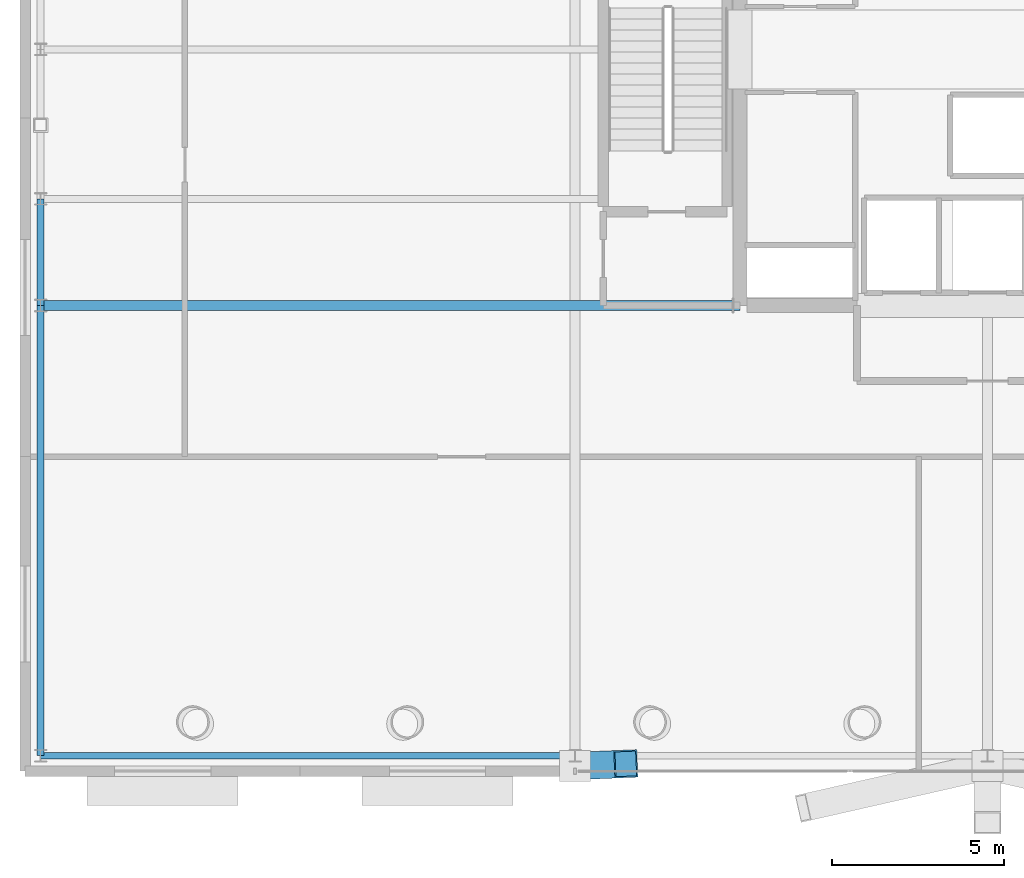
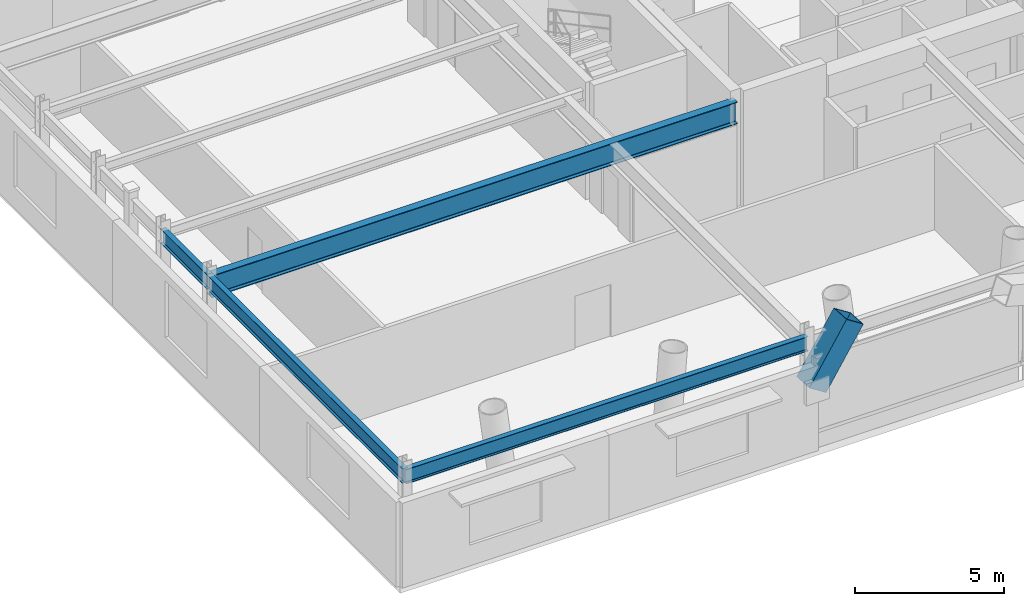
# One storey, part 5 of 21: 4 beams, 1 member.
"""IFC4 building model written with IfcOpenShell, lengths in metres."""

from ifc_helpers import new_model, si_unit, direction, frame, origin, origin_2d, place, context, subcontext, project, spatial, hollow_rectangle, i_section, extrude, material, material_profile, profile_set, type_object, element, save


model = new_model("IFC4")

# Units and contexts
model_context = context("Model", 3, precision=1e-05, world=origin(), true_north=direction((0.0, 1.0)))
body_context = subcontext(model_context, "Body", "Model", "MODEL_VIEW")
ifc_project = project(units=[si_unit("LENGTHUNIT", "METRE"), si_unit("AREAUNIT", "SQUARE_METRE"), si_unit("VOLUMEUNIT", "CUBIC_METRE"), si_unit("PLANEANGLEUNIT", "RADIAN"), si_unit("MASSUNIT", "GRAM", prefix="KILO")], contexts=[model_context])

# Site, building, storey
site_placement = place(None, origin())
site = spatial("IfcSite", under=ifc_project, at=site_placement, CompositionType="ELEMENT")
building_placement = place(site_placement, origin())
building = spatial("IfcBuilding", under=site, at=building_placement, Name="Veldorina Hangang Commons", CompositionType="ELEMENT")
storey_placement = place(building_placement, frame((0.0, 0.0, 19.60009765625)))
storey = spatial("IfcBuildingStorey", under=building, at=storey_placement, Name="L04", CompositionType="ELEMENT", Elevation=19.60009765625)

# Beams
ifc_material_1 = material(Name="Steel SM460-TMC", Category="steel")
ifc_material_profile_1 = material_profile(ifc_material_1, i_section(OverallWidth=0.300048828125, OverallDepth=0.89990234375, WebThickness=0.01611328125, FlangeThickness=0.028076171875, FilletRadius=0.02197265625, at=origin_2d()), Name="H-900x300x16x28")
ifc_profile_set_1 = profile_set([ifc_material_profile_1], Name="Steel SM460-TMC")
beam_type_1 = type_object("IfcBeamType", Name="BM-PG900", PredefinedType="BEAM", material=ifc_profile_set_1)
beam_1_placement = place(storey_placement, frame((4.449951171875, 16.550048828125, 3.949951171875), z_axis=(1.0, 0.0, 0.0), x_axis=(0.0, 1.0, 0.0)))
element("IfcBeam", 1, at=beam_1_placement, inside=storey, type_object=beam_type_1, Name="L04 west collector girder GD", PredefinedType="BEAM", context=body_context, shape_type="SweptSolid", body=[
    extrude(i_section(OverallWidth=0.300048828125, OverallDepth=0.89990234375, WebThickness=0.01611328125, FlangeThickness=0.028076171875, FilletRadius=0.02197265625, at=origin_2d()), origin(), (0.0, 0.0, 1.0), 20.35009765625),
])
ifc_material_2 = material(Name="Steel SM420-TMC", Category="steel")
ifc_material_profile_2 = material_profile(ifc_material_2, i_section(OverallWidth=0.199951171875, OverallDepth=0.60009765625, WebThickness=0.010986328125, FlangeThickness=0.01708984375, FilletRadius=0.01806640625, at=origin_2d()), Name="H-600x200x11x17")
ifc_profile_set_2 = profile_set([ifc_material_profile_2], Name="Steel SM420-TMC")
beam_type_2 = type_object("IfcBeamType", Name="BM-SPN600", PredefinedType="SPANDREL", material=ifc_profile_set_2)
beam_2_placement = place(storey_placement, frame((4.449951171875, 3.449951171875, 4.099853515625), z_axis=(1.0, 0.0, 0.0), x_axis=(0.0, 1.0, 0.0)))
element("IfcBeam", 2, at=beam_2_placement, inside=storey, type_object=beam_type_2, Name="L04 south spandrel beam 1", PredefinedType="SPANDREL", context=body_context, shape_type="SweptSolid", body=[
    extrude(i_section(OverallWidth=0.199951171875, OverallDepth=0.60009765625, WebThickness=0.010986328125, FlangeThickness=0.01708984375, FilletRadius=0.01806640625, at=origin_2d()), origin(), (0.0, 0.0, 1.0), 15.550048828125),
])
beam_3_placement = place(storey_placement, frame((4.449951171875, 3.449951171875, 4.099853515625), z_axis=(0.0, 1.0, 0.0), x_axis=(-1.0, 0.0, 0.0)))
element("IfcBeam", 3, at=beam_3_placement, inside=storey, type_object=beam_type_2, Name="L04 west spandrel beam 1", PredefinedType="SPANDREL", context=body_context, shape_type="SweptSolid", body=[
    extrude(i_section(OverallWidth=0.199951171875, OverallDepth=0.60009765625, WebThickness=0.010986328125, FlangeThickness=0.01708984375, FilletRadius=0.01806640625, at=origin_2d()), origin(), (0.0, 0.0, 1.0), 13.10009765625),
])
beam_4_placement = place(storey_placement, frame((4.449951171875, 16.550048828125, 4.099853515625), z_axis=(0.0, 1.0, 0.0), x_axis=(-1.0, 0.0, 0.0)))
element("IfcBeam", 4, at=beam_4_placement, inside=storey, type_object=beam_type_2, Name="L04 west spandrel beam 2", PredefinedType="SPANDREL", context=body_context, shape_type="SweptSolid", body=[
    extrude(i_section(OverallWidth=0.199951171875, OverallDepth=0.60009765625, WebThickness=0.010986328125, FlangeThickness=0.01708984375, FilletRadius=0.01806640625, at=origin_2d()), origin(), (0.0, 0.0, 1.0), 3.099853515625),
])

# Member
ifc_material_3 = material(Name="Steel SM490-TMC", Category="steel")
ifc_material_profile_3 = material_profile(ifc_material_3, hollow_rectangle(XDim=0.800048828125, YDim=0.800048828125, WallThickness=0.0400390625, at=origin_2d()), Name="BOX-800x800x40")
ifc_profile_set_3 = profile_set([ifc_material_profile_3], Name="Steel SM490-TMC")
member_type = type_object("IfcMemberType", Name="TR-BOX800", PredefinedType="BRACE", material=ifc_profile_set_3)
member_placement = place(storey_placement, frame((20.0, 3.14990234375, 2.5498046875), z_axis=(0.548443978364, 0.023309095823, 0.835862362263), x_axis=(-0.042462081417, 0.99909807909, 0.0)))
element("IfcMember", 5, at=member_placement, inside=storey, type_object=member_type, Name="L04 podium-to-transfer raking strut 22", PredefinedType="BRACE", context=body_context, shape_type="SweptSolid", body=[
    extrude(hollow_rectangle(XDim=0.800048828125, YDim=0.800048828125, WallThickness=0.0400390625, at=origin_2d()), origin(), (0.0, 0.0, 1.0), 2.69189453125),
])

save(model, "model.ifc")
